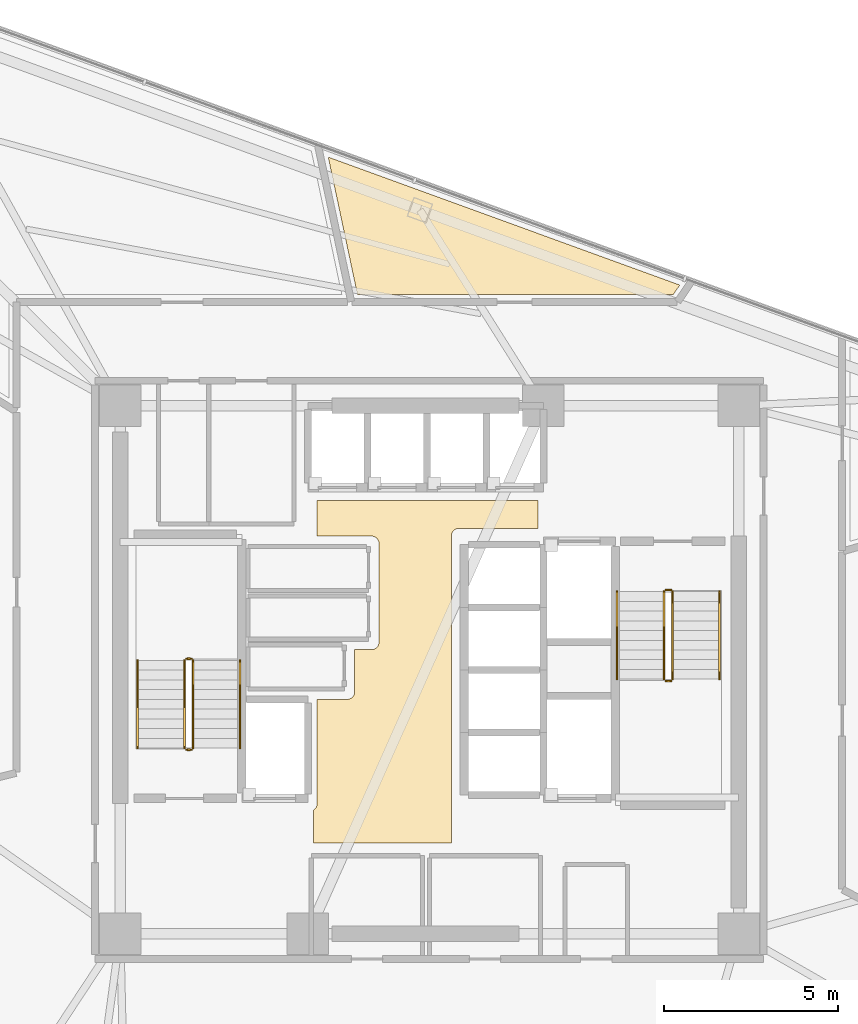
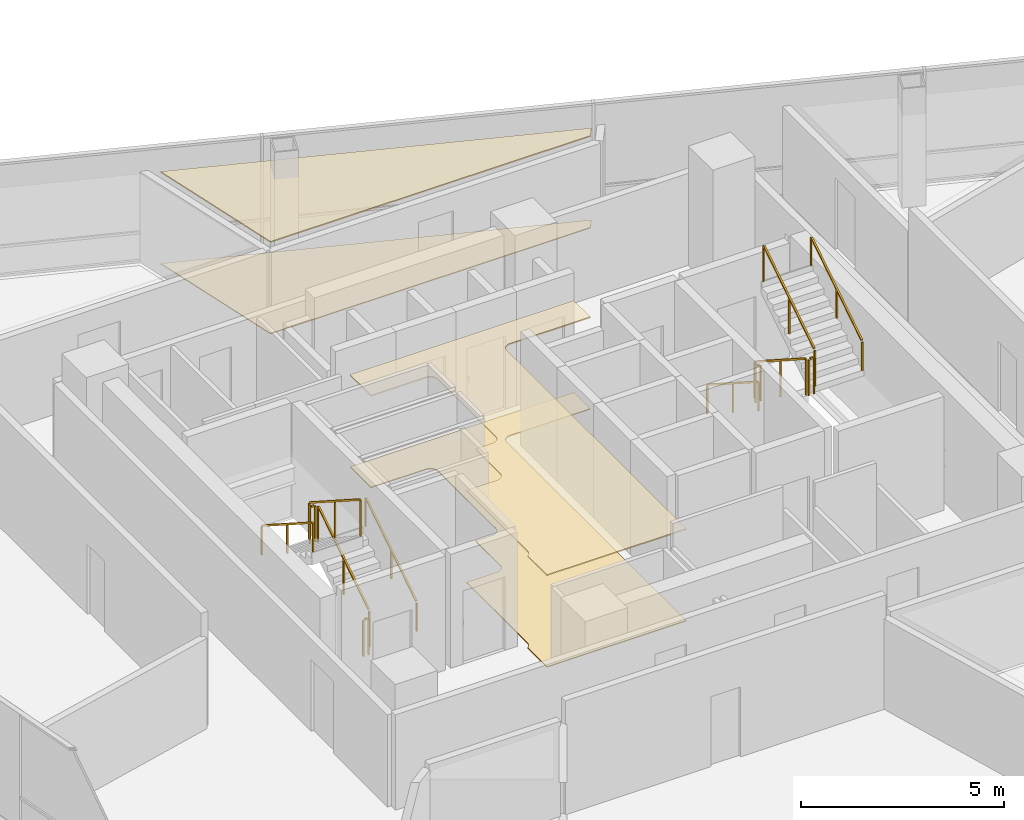
# One storey, part 14 of 15: 12 railings, 4 coverings.
"""IFC4 building model written with IfcOpenShell, lengths in metres."""

import ifcopenshell
import ifcopenshell.guid

model = None  # the IFC model being written
_history = None  # IfcOwnerHistory: only IFC2X3 demands one
_inside = {}  # id of a spatial element -> (the spatial element, [elements in it])
_under = {}  # id of a project, library or spatial element -> (it, [spatial elements below it])
_declared = {}  # id of a project -> (the project, [libraries it declares])
_typed = {}  # id of a type object -> (the type object, [elements of that type])
_made_of = {}  # id of a material, layer set ... -> (it, [elements and type objects made of it])


def new_model(schema):
    """Start an empty IFC model of exactly this schema.

    Asked for "IFC4X3", IfcOpenShell would pick the latest addendum, in which some entities
    have other attributes; the version numbers below select the first issue.
    IFC2X3 requires an IfcOwnerHistory on every rooted entity: one is made here for all.
    """
    global model, _history
    if schema == "IFC4X3":
        model = ifcopenshell.file(schema_version=(4, 3, 0, 0))
    else:
        model = ifcopenshell.file(schema=schema)
    _inside.clear()
    _under.clear()
    _declared.clear()
    _typed.clear()
    _made_of.clear()
    _history = None
    if model.schema == "IFC2X3":
        org = make("IfcOrganization", Name="unknown")
        user = make(
            "IfcPersonAndOrganization",
            ThePerson=make("IfcPerson", FamilyName="unknown"),
            TheOrganization=org,
        )
        app = make(
            "IfcApplication",
            ApplicationDeveloper=org,
            Version="unknown",
            ApplicationFullName="unknown",
            ApplicationIdentifier="unknown",
        )
        _history = make(
            "IfcOwnerHistory",
            OwningUser=user,
            OwningApplication=app,
            ChangeAction="ADDED",
            CreationDate=0,
        )
    return model


def make(cls, **values):
    """One entity of the class cls with the attributes given. An attribute that is None is left unset."""
    return model.create_entity(
        cls, **{name: value for name, value in values.items() if value is not None}
    )


def rooted(cls, **values):
    """An entity with a GlobalId (a new one), such as an element, a storey or a relation."""
    return make(cls, GlobalId=ifcopenshell.guid.new(), OwnerHistory=_history, **values)


def si_unit(unit_type, name, prefix=None):
    """IfcSIUnit, for example si_unit("LENGTHUNIT", "METRE", prefix="MILLI")."""
    return make("IfcSIUnit", UnitType=unit_type, Prefix=prefix, Name=name)


def assignment(units):
    """IfcUnitAssignment: the units of a project."""
    return None if units is None else make("IfcUnitAssignment", Units=units)


def point(xyz):
    """IfcCartesianPoint."""
    return None if xyz is None else make("IfcCartesianPoint", Coordinates=xyz)


def direction(xyz):
    """IfcDirection."""
    return None if xyz is None else make("IfcDirection", DirectionRatios=xyz)


def frame(location, z_axis=None, x_axis=None):
    """IfcAxis2Placement3D, a coordinate frame: its origin and axes. An axis left out is left unset."""
    return make(
        "IfcAxis2Placement3D",
        Location=point(location),
        Axis=direction(z_axis),
        RefDirection=direction(x_axis),
    )


def frame_2d(location, x_axis=None):
    """IfcAxis2Placement2D, a coordinate frame in the plane: its origin and x axis."""
    return make(
        "IfcAxis2Placement2D", Location=point(location), RefDirection=direction(x_axis)
    )


def origin():
    """The frame at (0, 0, 0) with its axes left unset."""
    return frame((0.0, 0.0, 0.0))


def origin_2d():
    """The frame at (0, 0) in the plane with its x axis left unset."""
    return frame_2d((0.0, 0.0))


def place(relative_to, where):
    """IfcLocalPlacement: puts the frame where relative to a parent placement (None: the world)."""
    return make(
        "IfcLocalPlacement", PlacementRelTo=relative_to, RelativePlacement=where
    )


def context(
    kind, dimensions, precision=None, world=None, true_north=None, identifier=None
):
    """IfcGeometricRepresentationContext, for example the 3D "Model" context."""
    return make(
        "IfcGeometricRepresentationContext",
        ContextIdentifier=identifier,
        ContextType=kind,
        CoordinateSpaceDimension=dimensions,
        Precision=precision,
        WorldCoordinateSystem=world,
        TrueNorth=true_north,
    )


def subcontext(parent, identifier, kind, view, scale=None):
    """IfcGeometricRepresentationSubContext, for example "Body" below "Model"."""
    return make(
        "IfcGeometricRepresentationSubContext",
        ContextIdentifier=identifier,
        ContextType=kind,
        ParentContext=parent,
        TargetScale=scale,
        TargetView=view,
    )


def project(units=None, contexts=None):
    """IfcProject with its units and contexts."""
    return rooted(
        "IfcProject",
        Name="project",
        RepresentationContexts=contexts,
        UnitsInContext=assignment(units),
    )


def spatial(cls, under=None, at=None, **own):
    """A site, building, storey or space (cls), placed at a placement, below another one or the project."""
    s = rooted(cls, ObjectPlacement=at, **own)
    if under is not None:
        _under.setdefault(under.id(), (under, []))[1].append(s)
    return s


def polyline(points):
    """IfcPolyline through the points."""
    return make("IfcPolyline", Points=[point(p) for p in points])


def profile(cls, at=None, kind="AREA", **sizes):
    """A parametric profile (cls). Its sizes go by their IFC names, for example OverallWidth=200.0."""
    return make(cls, ProfileType=kind, Position=at, **sizes)


def rectangle(**sizes):
    """IfcRectangleProfileDef."""
    return profile("IfcRectangleProfileDef", **sizes)


def outline(outer, holes=None, kind="AREA"):
    """IfcArbitraryClosedProfileDef: a profile drawn as a closed curve; with holes, ...WithVoids."""
    if holes is None:
        return make("IfcArbitraryClosedProfileDef", ProfileType=kind, OuterCurve=outer)
    return make(
        "IfcArbitraryProfileDefWithVoids",
        ProfileType=kind,
        OuterCurve=outer,
        InnerCurves=holes,
    )


def extrude(swept, where, along, depth):
    """IfcExtrudedAreaSolid: the profile swept, set in the frame where, extruded along a direction by depth."""
    return make(
        "IfcExtrudedAreaSolid",
        SweptArea=swept,
        Position=where,
        ExtrudedDirection=direction(along),
        Depth=depth,
    )


def shape(context_of_items, identifier, shape_type, items):
    """IfcShapeRepresentation: the items that make up one representation, for example the "Body"."""
    return make(
        "IfcShapeRepresentation",
        ContextOfItems=context_of_items,
        RepresentationIdentifier=identifier,
        RepresentationType=shape_type,
        Items=items,
    )


def material(Name=None, Category=None):
    """IfcMaterial."""
    return make("IfcMaterial", Name=Name, Category=Category)


def layer(
    of_material, thickness, ventilated=None, Name=None, Category=None, Priority=None
):
    """IfcMaterialLayer: one layer of a wall or slab, of a material (None: an air gap)."""
    return make(
        "IfcMaterialLayer",
        Material=of_material,
        LayerThickness=thickness,
        IsVentilated=ventilated,
        Name=Name,
        Category=Category,
        Priority=Priority,
    )


def layer_set(layers, Name=None):
    """IfcMaterialLayerSet."""
    return make("IfcMaterialLayerSet", MaterialLayers=layers, LayerSetName=Name)


def made_of(thing, what):
    """Note that an element or type object is made of a material, layer set ...; save() writes the relation."""
    if what is not None:
        _made_of.setdefault(what.id(), (what, []))[1].append(thing)
    return thing


def type_object(cls, material=None, **own):
    """A type object (cls), such as IfcWallType, which elements share."""
    return made_of(rooted(cls, **own), material)


def element(
    cls,
    number,
    at=None,
    inside=None,
    cuts=None,
    type_object=None,
    material=None,
    context=None,
    identifier="Body",
    shape_type=None,
    held_by="IfcProductDefinitionShape",
    body=None,
    shapes=None,
    **own,
):
    """One element of the class cls, such as IfcWall. Its Tag is "e" and its number.

    at: its placement. inside: the storey or other place that contains it. cuts: it is an
    opening in that element (IfcRelVoidsElement). A single representation is given by context,
    identifier, shape_type and body (its items); several are given by shapes. held_by: the class
    of the entity that holds the representations. save() writes the other relations.
    """
    e = rooted(cls, Tag="e%d" % number, ObjectPlacement=at, **own)
    if body is not None:
        shapes = [shape(context, identifier, shape_type, body)]
    if shapes is not None:
        e.Representation = make(held_by, Representations=shapes)
    if inside is not None:
        _inside.setdefault(inside.id(), (inside, []))[1].append(e)
    if cuts is not None:
        rooted(
            "IfcRelVoidsElement", RelatingBuildingElement=cuts, RelatedOpeningElement=e
        )
    if type_object is not None:
        _typed.setdefault(type_object.id(), (type_object, []))[1].append(e)
    return made_of(e, material)


def aggregate(whole, parts):
    """IfcRelAggregates: a whole, such as a stair, and the parts it consists of."""
    return rooted("IfcRelAggregates", RelatingObject=whole, RelatedObjects=parts)


def save(model, path):
    """Write the relations noted so far, then the file.

    IfcRelAggregates (storeys below a building ...), IfcRelContainedInSpatialStructure (elements
    in a storey), IfcRelDefinesByType, IfcRelAssociatesMaterial and IfcRelDeclares: one each for
    every whole, place, type object, material and project.
    """
    for whole, parts in _under.values():
        aggregate(whole, parts)
    for where, things in _inside.values():
        rooted(
            "IfcRelContainedInSpatialStructure",
            RelatedElements=things,
            RelatingStructure=where,
        )
    for kind, things in _typed.values():
        rooted("IfcRelDefinesByType", RelatedObjects=things, RelatingType=kind)
    for what, things in _made_of.values():
        rooted("IfcRelAssociatesMaterial", RelatedObjects=things, RelatingMaterial=what)
    for by, libraries in _declared.values():
        rooted("IfcRelDeclares", RelatingContext=by, RelatedDefinitions=libraries)
    model.write(path)


model = new_model("IFC4")

# Units and contexts
model_context = context("Model", 3, precision=1e-05, world=origin(), true_north=direction((0.0, 1.0)))
body_context = subcontext(model_context, "Body", "Model", "MODEL_VIEW")
ifc_project = project(units=[si_unit("LENGTHUNIT", "METRE"), si_unit("AREAUNIT", "SQUARE_METRE"), si_unit("VOLUMEUNIT", "CUBIC_METRE"), si_unit("PLANEANGLEUNIT", "RADIAN"), si_unit("MASSUNIT", "GRAM", prefix="KILO")], contexts=[model_context])

# Site, building, storey
site_placement = place(None, origin())
site = spatial("IfcSite", under=ifc_project, at=site_placement, CompositionType="ELEMENT")
building_placement = place(site_placement, origin())
building = spatial("IfcBuilding", under=site, at=building_placement, Name="Tharavind Bronze Gate", CompositionType="ELEMENT")
storey_placement = place(building_placement, frame((0.0, 0.0, 174.10009765625)))
storey = spatial("IfcBuildingStorey", under=building, at=storey_placement, Name="L44", CompositionType="ELEMENT", Elevation=174.10009765625)

# Coverings
ifc_material_1 = material(Name="Perforated Bronze Acoustic Panel", Category="bronze")
ifc_layer_1 = layer(ifc_material_1, 0.044921875)
ifc_layer_set_1 = layer_set([ifc_layer_1], Name="Perforated Bronze Acoustic Panel")
covering_type_1 = type_object("IfcCoveringType", Name="ACOUSTIC BRONZE BAFFLE CEILING", PredefinedType="CEILING", material=ifc_layer_set_1)
covering_1_placement = place(storey_placement, frame((0.0, 0.0, 2.75)))
element("IfcCovering", 1, at=covering_1_placement, inside=storey, type_object=covering_type_1, Name="L44-C-LL suspended ceiling", PredefinedType="CEILING", context=body_context, shape_type="SweptSolid", body=[
    extrude(outline(polyline([(-3.330078125, -4.97998046875), (0.6298828125, -4.97998046875), (0.6298828125, 3.85009765625), (0.631103515625, 3.87158203125), (0.63427734375, 3.892822265625), (0.639404296875, 3.913818359375), (0.646728515625, 3.93408203125), (0.656005859375, 3.95361328125), (0.6669921875, 3.97216796875), (0.679931640625, 3.989501953125), (0.6943359375, 4.005615234375), (0.71044921875, 4.02001953125), (0.727783203125, 4.032958984375), (0.746337890625, 4.0439453125), (0.765869140625, 4.05322265625), (0.7861328125, 4.060546875), (0.80712890625, 4.06591796875), (0.828369140625, 4.06884765625), (0.85009765625, 4.070068359375), (3.1298828125, 4.070068359375), (3.1298828125, 4.8798828125), (-3.22998046875, 4.8798828125), (-3.22998046875, 3.85009765625), (-1.669921875, 3.85009765625), (-1.6484375, 3.848876953125), (-1.627197265625, 3.845703125), (-1.606201171875, 3.840576171875), (-1.585693359375, 3.833251953125), (-1.56640625, 3.823974609375), (-1.5478515625, 3.81298828125), (-1.530517578125, 3.800048828125), (-1.514404296875, 3.78564453125), (-1.5, 3.76953125), (-1.487060546875, 3.752197265625), (-1.47607421875, 3.733642578125), (-1.466796875, 3.714111328125), (-1.45947265625, 3.69384765625), (-1.4541015625, 3.6728515625), (-1.451171875, 3.651611328125), (-1.449951171875, 3.6298828125), (-1.449951171875, 0.800048828125), (-1.451171875, 0.7783203125), (-1.4541015625, 0.757080078125), (-1.45947265625, 0.736083984375), (-1.466796875, 0.7158203125), (-1.47607421875, 0.6962890625), (-1.487060546875, 0.677734375), (-1.5, 0.660400390625), (-1.514404296875, 0.644287109375), (-1.530517578125, 0.6298828125), (-1.5478515625, 0.6171875), (-1.56640625, 0.60595703125), (-1.585693359375, 0.5966796875), (-1.606201171875, 0.589599609375), (-1.627197265625, 0.584228515625), (-1.6484375, 0.5810546875), (-1.669921875, 0.580078125), (-2.14990234375, 0.580078125), (-2.14990234375, -0.6298828125), (-2.151123046875, -0.651611328125), (-2.154296875, -0.6728515625), (-2.159423828125, -0.69384765625), (-2.166748046875, -0.714111328125), (-2.176025390625, -0.733642578125), (-2.18701171875, -0.752197265625), (-2.199951171875, -0.76953125), (-2.21435546875, -0.78564453125), (-2.23046875, -0.800048828125), (-2.247802734375, -0.81298828125), (-2.266357421875, -0.823974609375), (-2.285888671875, -0.833251953125), (-2.30615234375, -0.840576171875), (-2.3271484375, -0.845703125), (-2.348388671875, -0.848876953125), (-2.3701171875, -0.85009765625), (-3.22998046875, -0.85009765625), (-3.22998046875, -3.85009765625), (-3.231201171875, -3.87158203125), (-3.234130859375, -3.892822265625), (-3.239501953125, -3.913818359375), (-3.24658203125, -3.93408203125), (-3.256103515625, -3.95361328125), (-3.26708984375, -3.97216796875), (-3.27978515625, -3.989501953125), (-3.29443359375, -4.005615234375), (-3.310302734375, -4.02001953125), (-3.327880859375, -4.032958984375), (-3.330078125, -4.0341796875), (-3.330078125, -4.97998046875)])), origin(), (0.0, 0.0, 1.0), 0.034912109375),
])
ifc_material_2 = material(Name="Engineered Oak & Carpet Tile", Category="wood")
ifc_layer_2 = layer(ifc_material_2, 0.02490234375)
ifc_layer_set_2 = layer_set([ifc_layer_2], Name="Engineered Oak & Carpet Tile")
covering_type_2 = type_object("IfcCoveringType", Name="ENGINEERED TIMBER FLOORING", PredefinedType="FLOORING", material=ifc_layer_set_2)
covering_2_placement = place(storey_placement, origin())
element("IfcCovering", 2, at=covering_2_placement, inside=storey, type_object=covering_type_2, Name="L44-RM-02 floor finish", PredefinedType="FLOORING", context=body_context, shape_type="SweptSolid", body=[
    extrude(outline(polyline([(-2.07080078125, 10.800048828125), (7.019287109375, 10.800048828125), (7.203857421875, 11.073486328125), (-2.911376953125, 14.755126953125), (-2.07080078125, 10.800048828125)])), origin(), (0.0, 0.0, 1.0), 0.02490234375),
])
ifc_material_3 = material(Name="Acoustic Gypsum Board", Category="gypsum")
ifc_layer_3 = layer(ifc_material_3, 0.030029296875)
ifc_layer_set_3 = layer_set([ifc_layer_3], Name="Acoustic Gypsum Board")
covering_type_3 = type_object("IfcCoveringType", Name="GYPSUM SUSPENDED CEILING", PredefinedType="CEILING", material=ifc_layer_set_3)
covering_3_placement = place(storey_placement, frame((0.0, 0.0, 2.75)))
element("IfcCovering", 3, at=covering_3_placement, inside=storey, type_object=covering_type_3, Name="L44-RM-02 suspended ceiling", PredefinedType="CEILING", context=body_context, shape_type="SweptSolid", body=[
    extrude(outline(polyline([(-2.07080078125, 10.800048828125), (7.019287109375, 10.800048828125), (7.203857421875, 11.073486328125), (-2.911376953125, 14.755126953125), (-2.07080078125, 10.800048828125)])), origin(), (0.0, 0.0, 1.0), 0.034912109375),
])
ifc_material_4 = material(Name="Honed Travertine Limestone", Category="masonry")
ifc_layer_4 = layer(ifc_material_4, 0.030029296875)
ifc_layer_set_4 = layer_set([ifc_layer_4], Name="Honed Travertine Limestone")
covering_type_4 = type_object("IfcCoveringType", Name="HONED LIMESTONE FLOORING", PredefinedType="FLOORING", material=ifc_layer_set_4)
covering_4_placement = place(storey_placement, origin())
element("IfcCovering", 4, at=covering_4_placement, inside=storey, type_object=covering_type_4, Name="L44-C-LL floor finish", PredefinedType="FLOORING", context=body_context, shape_type="SweptSolid", body=[
    extrude(outline(polyline([(-3.330078125, -4.97998046875), (0.6298828125, -4.97998046875), (0.6298828125, 3.85009765625), (0.631103515625, 3.87158203125), (0.63427734375, 3.892822265625), (0.639404296875, 3.913818359375), (0.646728515625, 3.93408203125), (0.656005859375, 3.95361328125), (0.6669921875, 3.97216796875), (0.679931640625, 3.989501953125), (0.6943359375, 4.005615234375), (0.71044921875, 4.02001953125), (0.727783203125, 4.032958984375), (0.746337890625, 4.0439453125), (0.765869140625, 4.05322265625), (0.7861328125, 4.060546875), (0.80712890625, 4.06591796875), (0.828369140625, 4.06884765625), (0.85009765625, 4.070068359375), (3.1298828125, 4.070068359375), (3.1298828125, 4.8798828125), (-3.22998046875, 4.8798828125), (-3.22998046875, 3.85009765625), (-1.669921875, 3.85009765625), (-1.6484375, 3.848876953125), (-1.627197265625, 3.845703125), (-1.606201171875, 3.840576171875), (-1.585693359375, 3.833251953125), (-1.56640625, 3.823974609375), (-1.5478515625, 3.81298828125), (-1.530517578125, 3.800048828125), (-1.514404296875, 3.78564453125), (-1.5, 3.76953125), (-1.487060546875, 3.752197265625), (-1.47607421875, 3.733642578125), (-1.466796875, 3.714111328125), (-1.45947265625, 3.69384765625), (-1.4541015625, 3.6728515625), (-1.451171875, 3.651611328125), (-1.449951171875, 3.6298828125), (-1.449951171875, 0.800048828125), (-1.451171875, 0.7783203125), (-1.4541015625, 0.757080078125), (-1.45947265625, 0.736083984375), (-1.466796875, 0.7158203125), (-1.47607421875, 0.6962890625), (-1.487060546875, 0.677734375), (-1.5, 0.660400390625), (-1.514404296875, 0.644287109375), (-1.530517578125, 0.6298828125), (-1.5478515625, 0.6171875), (-1.56640625, 0.60595703125), (-1.585693359375, 0.5966796875), (-1.606201171875, 0.589599609375), (-1.627197265625, 0.584228515625), (-1.6484375, 0.5810546875), (-1.669921875, 0.580078125), (-2.14990234375, 0.580078125), (-2.14990234375, -0.6298828125), (-2.151123046875, -0.651611328125), (-2.154296875, -0.6728515625), (-2.159423828125, -0.69384765625), (-2.166748046875, -0.714111328125), (-2.176025390625, -0.733642578125), (-2.18701171875, -0.752197265625), (-2.199951171875, -0.76953125), (-2.21435546875, -0.78564453125), (-2.23046875, -0.800048828125), (-2.247802734375, -0.81298828125), (-2.266357421875, -0.823974609375), (-2.285888671875, -0.833251953125), (-2.30615234375, -0.840576171875), (-2.3271484375, -0.845703125), (-2.348388671875, -0.848876953125), (-2.3701171875, -0.85009765625), (-3.22998046875, -0.85009765625), (-3.22998046875, -3.85009765625), (-3.231201171875, -3.87158203125), (-3.234130859375, -3.892822265625), (-3.239501953125, -3.913818359375), (-3.24658203125, -3.93408203125), (-3.256103515625, -3.95361328125), (-3.26708984375, -3.97216796875), (-3.27978515625, -3.989501953125), (-3.29443359375, -4.005615234375), (-3.310302734375, -4.02001953125), (-3.327880859375, -4.032958984375), (-3.330078125, -4.0341796875), (-3.330078125, -4.97998046875)])), origin(), (0.0, 0.0, 1.0), 0.02490234375),
])

# Railings
ifc_material_5 = material(Name="Brushed Bronze Alloy", Category="metal")
railing_type_1 = type_object("IfcRailingType", Name="STAIR BRONZE HANDRAIL 900", PredefinedType="HANDRAIL", material=ifc_material_5)
railing_1_placement = place(storey_placement, frame((-5.449951171875, -2.25, 0.179931640625)))
element("IfcRailing", 5, at=railing_1_placement, inside=storey, type_object=railing_type_1, Name="L44 ST1 stair handrail 1", PredefinedType="HANDRAIL", context=body_context, shape_type="SweptSolid", body=[
    extrude(rectangle(XDim=0.048095703125, YDim=0.048095703125, at=origin_2d()), frame((0.0, 0.02685546875, 0.89306640625), z_axis=(0.0, 0.841199657755, 0.540724639528), x_axis=(-1.0, 0.0, 0.0)), (0.0, 0.0, 1.0), 2.931640625),
    extrude(rectangle(XDim=0.0400390625, YDim=0.0400390625, at=origin_2d()), origin(), (0.0, 0.0, 1.0), 0.847900390625),
    extrude(rectangle(XDim=0.0400390625, YDim=0.0400390625, at=origin_2d()), frame((0.0, 1.260009765625, 0.81005859375)), (0.0, 0.0, 1.0), 0.847900390625),
    extrude(rectangle(XDim=0.0400390625, YDim=0.0400390625, at=origin_2d()), frame((0.0, 2.52001953125, 1.619873046875)), (0.0, 0.0, 1.0), 0.847900390625),
])
for number, where, name in (
    (6, (-8.39990234375, 0.27001953125, 1.97998046875), "L44 ST1 stair handrail 2"),
    (7, (5.39990234375, 2.25, 0.179931640625), "L44 ST2 stair handrail 1"),
):
    element("IfcRailing", number, at=place(storey_placement, frame(where)), inside=storey, type_object=railing_type_1, Name=name, PredefinedType="HANDRAIL", context=body_context, shape_type="SweptSolid", body=[
        extrude(rectangle(XDim=0.048095703125, YDim=0.048095703125, at=origin_2d()), frame((0.0, -0.02685546875, 0.89306640625), z_axis=(0.0, -0.841199657755, 0.540724639528), x_axis=(1.0, 0.0, 0.0)), (0.0, 0.0, 1.0), 2.931640625),
        extrude(rectangle(XDim=0.0400390625, YDim=0.0400390625, at=origin_2d()), origin(), (0.0, 0.0, 1.0), 0.847900390625),
        extrude(rectangle(XDim=0.0400390625, YDim=0.0400390625, at=origin_2d()), frame((0.0, -1.260009765625, 0.81005859375)), (0.0, 0.0, 1.0), 0.847900390625),
        extrude(rectangle(XDim=0.0400390625, YDim=0.0400390625, at=origin_2d()), frame((0.0, -2.52001953125, 1.619873046875)), (0.0, 0.0, 1.0), 0.847900390625),
    ])
railing_2_placement = place(storey_placement, frame((8.35009765625, -0.27001953125, 1.97998046875)))
element("IfcRailing", 8, at=railing_2_placement, inside=storey, type_object=railing_type_1, Name="L44 ST2 stair handrail 2", PredefinedType="HANDRAIL", context=body_context, shape_type="SweptSolid", body=[
    extrude(rectangle(XDim=0.048095703125, YDim=0.048095703125, at=origin_2d()), frame((0.0, 0.02685546875, 0.89306640625), z_axis=(0.0, 0.841199657755, 0.540724639528), x_axis=(-1.0, 0.0, 0.0)), (0.0, 0.0, 1.0), 2.931640625),
    extrude(rectangle(XDim=0.0400390625, YDim=0.0400390625, at=origin_2d()), origin(), (0.0, 0.0, 1.0), 0.847900390625),
    extrude(rectangle(XDim=0.0400390625, YDim=0.0400390625, at=origin_2d()), frame((0.0, 1.260009765625, 0.81005859375)), (0.0, 0.0, 1.0), 0.847900390625),
    extrude(rectangle(XDim=0.0400390625, YDim=0.0400390625, at=origin_2d()), frame((0.0, 2.52001953125, 1.619873046875)), (0.0, 0.0, 1.0), 0.847900390625),
])
railing_type_2 = type_object("IfcRailingType", Name="STAIR WELL GUARD RAILING 1120", PredefinedType="GUARDRAIL", material=ifc_material_5)
railing_3_placement = place(storey_placement, frame((-6.800048828125, -2.25, 0.179931640625)))
element("IfcRailing", 9, at=railing_3_placement, inside=storey, type_object=railing_type_2, Name="L44 ST1 stair guard 1", PredefinedType="GUARDRAIL", context=body_context, shape_type="SweptSolid", body=[
    extrude(rectangle(XDim=0.048095703125, YDim=0.048095703125, at=origin_2d()), frame((0.0, 0.02685546875, 1.11328125), z_axis=(0.0, 0.841199657755, 0.540724639528), x_axis=(-1.0, 0.0, 0.0)), (0.0, 0.0, 1.0), 2.931640625),
    extrude(rectangle(XDim=0.0400390625, YDim=0.0400390625, at=origin_2d()), origin(), (0.0, 0.0, 1.0), 1.068115234375),
    extrude(rectangle(XDim=0.0400390625, YDim=0.0400390625, at=origin_2d()), frame((0.0, 1.260009765625, 0.81005859375)), (0.0, 0.0, 1.0), 1.068115234375),
    extrude(rectangle(XDim=0.0400390625, YDim=0.0400390625, at=origin_2d()), frame((0.0, 2.52001953125, 1.619873046875)), (0.0, 0.0, 1.0), 1.068115234375),
])
railing_4_placement = place(storey_placement, frame((-6.85009765625, 0.320068359375, 1.7998046875)))
element("IfcRailing", 10, at=railing_4_placement, inside=storey, type_object=railing_type_2, Name="L44 ST1 stair guard 2", PredefinedType="GUARDRAIL", context=body_context, shape_type="SweptSolid", body=[
    extrude(rectangle(XDim=0.048095703125, YDim=0.048095703125, at=origin_2d()), frame((-0.031982421875, 0.0, 1.09619140625), z_axis=(-1.0, 0.0, 0.0), x_axis=(0.0, -1.0, 0.0)), (0.0, 0.0, 1.0), 0.0859375),
    extrude(rectangle(XDim=0.0400390625, YDim=0.0400390625, at=origin_2d()), origin(), (0.0, 0.0, 1.0), 1.068115234375),
    extrude(rectangle(XDim=0.0400390625, YDim=0.0400390625, at=origin_2d()), frame((-0.14990234375, 0.0, 0.0)), (0.0, 0.0, 1.0), 1.068115234375),
])
railing_5_placement = place(storey_placement, frame((-7.050048828125, 0.27001953125, 1.97998046875)))
element("IfcRailing", 11, at=railing_5_placement, inside=storey, type_object=railing_type_2, Name="L44 ST1 stair guard 3", PredefinedType="GUARDRAIL", context=body_context, shape_type="SweptSolid", body=[
    extrude(rectangle(XDim=0.048095703125, YDim=0.048095703125, at=origin_2d()), frame((0.0, -0.02685546875, 1.11328125), z_axis=(0.0, -0.841199657755, 0.540724639528), x_axis=(1.0, 0.0, 0.0)), (0.0, 0.0, 1.0), 2.931640625),
    extrude(rectangle(XDim=0.0400390625, YDim=0.0400390625, at=origin_2d()), origin(), (0.0, 0.0, 1.0), 1.068115234375),
    extrude(rectangle(XDim=0.0400390625, YDim=0.0400390625, at=origin_2d()), frame((0.0, -1.260009765625, 0.81005859375)), (0.0, 0.0, 1.0), 1.068115234375),
    extrude(rectangle(XDim=0.0400390625, YDim=0.0400390625, at=origin_2d()), frame((0.0, -2.52001953125, 1.619873046875)), (0.0, 0.0, 1.0), 1.068115234375),
])
railing_6_placement = place(storey_placement, frame((-6.85009765625, -2.300048828125, 0.0)))
element("IfcRailing", 12, at=railing_6_placement, inside=storey, type_object=railing_type_2, Name="L44 ST1 stair guard 4", PredefinedType="GUARDRAIL", context=body_context, shape_type="SweptSolid", body=[
    extrude(rectangle(XDim=0.048095703125, YDim=0.048095703125, at=origin_2d()), frame((-0.031982421875, 0.0, 1.09619140625), z_axis=(-1.0, 0.0, 0.0), x_axis=(0.0, -1.0, 0.0)), (0.0, 0.0, 1.0), 0.0859375),
    extrude(rectangle(XDim=0.0400390625, YDim=0.0400390625, at=origin_2d()), origin(), (0.0, 0.0, 1.0), 1.068115234375),
    extrude(rectangle(XDim=0.0400390625, YDim=0.0400390625, at=origin_2d()), frame((-0.14990234375, 0.0, 0.0)), (0.0, 0.0, 1.0), 1.068115234375),
])
railing_7_placement = place(storey_placement, frame((6.75, 2.25, 0.179931640625)))
element("IfcRailing", 13, at=railing_7_placement, inside=storey, type_object=railing_type_2, Name="L44 ST2 stair guard 1", PredefinedType="GUARDRAIL", context=body_context, shape_type="SweptSolid", body=[
    extrude(rectangle(XDim=0.048095703125, YDim=0.048095703125, at=origin_2d()), frame((0.0, -0.02685546875, 1.11328125), z_axis=(0.0, -0.841199657755, 0.540724639528), x_axis=(1.0, 0.0, 0.0)), (0.0, 0.0, 1.0), 2.931640625),
    extrude(rectangle(XDim=0.0400390625, YDim=0.0400390625, at=origin_2d()), origin(), (0.0, 0.0, 1.0), 1.068115234375),
    extrude(rectangle(XDim=0.0400390625, YDim=0.0400390625, at=origin_2d()), frame((0.0, -1.260009765625, 0.81005859375)), (0.0, 0.0, 1.0), 1.068115234375),
    extrude(rectangle(XDim=0.0400390625, YDim=0.0400390625, at=origin_2d()), frame((0.0, -2.52001953125, 1.619873046875)), (0.0, 0.0, 1.0), 1.068115234375),
])
railing_8_placement = place(storey_placement, frame((6.800048828125, -0.320068359375, 1.7998046875)))
element("IfcRailing", 14, at=railing_8_placement, inside=storey, type_object=railing_type_2, Name="L44 ST2 stair guard 2", PredefinedType="GUARDRAIL", context=body_context, shape_type="SweptSolid", body=[
    extrude(rectangle(XDim=0.048095703125, YDim=0.048095703125, at=origin_2d()), frame((0.031982421875, 0.0, 1.09619140625), z_axis=(1.0, 0.0, 0.0), x_axis=(0.0, 1.0, 0.0)), (0.0, 0.0, 1.0), 0.0859375),
    extrude(rectangle(XDim=0.0400390625, YDim=0.0400390625, at=origin_2d()), origin(), (0.0, 0.0, 1.0), 1.068115234375),
    extrude(rectangle(XDim=0.0400390625, YDim=0.0400390625, at=origin_2d()), frame((0.14990234375, 0.0, 0.0)), (0.0, 0.0, 1.0), 1.068115234375),
])
railing_9_placement = place(storey_placement, frame((7.0, -0.27001953125, 1.97998046875)))
element("IfcRailing", 15, at=railing_9_placement, inside=storey, type_object=railing_type_2, Name="L44 ST2 stair guard 3", PredefinedType="GUARDRAIL", context=body_context, shape_type="SweptSolid", body=[
    extrude(rectangle(XDim=0.048095703125, YDim=0.048095703125, at=origin_2d()), frame((0.0, 0.02685546875, 1.11328125), z_axis=(0.0, 0.841199657755, 0.540724639528), x_axis=(-1.0, 0.0, 0.0)), (0.0, 0.0, 1.0), 2.931640625),
    extrude(rectangle(XDim=0.0400390625, YDim=0.0400390625, at=origin_2d()), origin(), (0.0, 0.0, 1.0), 1.068115234375),
    extrude(rectangle(XDim=0.0400390625, YDim=0.0400390625, at=origin_2d()), frame((0.0, 1.260009765625, 0.81005859375)), (0.0, 0.0, 1.0), 1.068115234375),
    extrude(rectangle(XDim=0.0400390625, YDim=0.0400390625, at=origin_2d()), frame((0.0, 2.52001953125, 1.619873046875)), (0.0, 0.0, 1.0), 1.068115234375),
])
railing_10_placement = place(storey_placement, frame((6.800048828125, 2.300048828125, 0.0)))
element("IfcRailing", 16, at=railing_10_placement, inside=storey, type_object=railing_type_2, Name="L44 ST2 stair guard 4", PredefinedType="GUARDRAIL", context=body_context, shape_type="SweptSolid", body=[
    extrude(rectangle(XDim=0.048095703125, YDim=0.048095703125, at=origin_2d()), frame((0.031982421875, 0.0, 1.09619140625), z_axis=(1.0, 0.0, 0.0), x_axis=(0.0, 1.0, 0.0)), (0.0, 0.0, 1.0), 0.0859375),
    extrude(rectangle(XDim=0.0400390625, YDim=0.0400390625, at=origin_2d()), origin(), (0.0, 0.0, 1.0), 1.068115234375),
    extrude(rectangle(XDim=0.0400390625, YDim=0.0400390625, at=origin_2d()), frame((0.14990234375, 0.0, 0.0)), (0.0, 0.0, 1.0), 1.068115234375),
])

save(model, "model.ifc")
